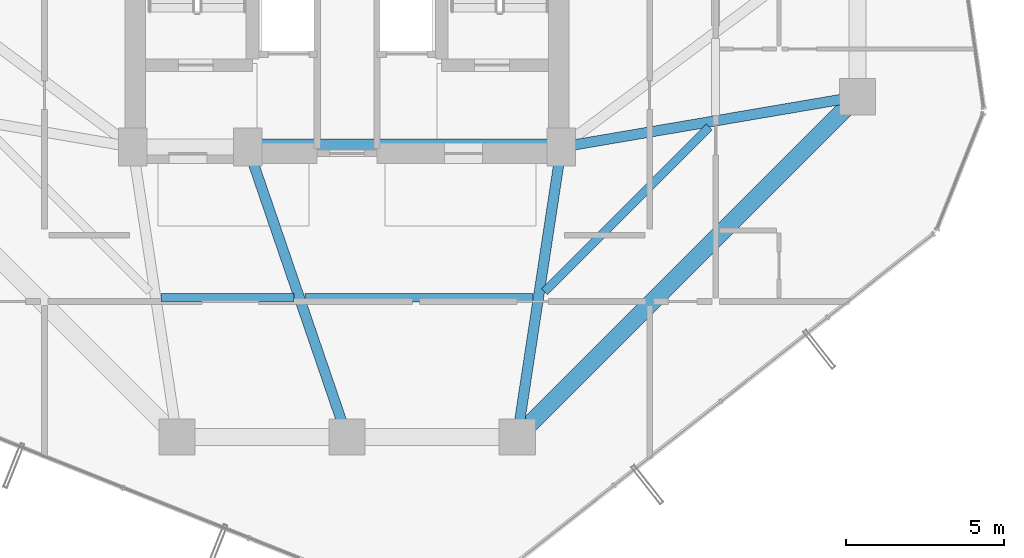
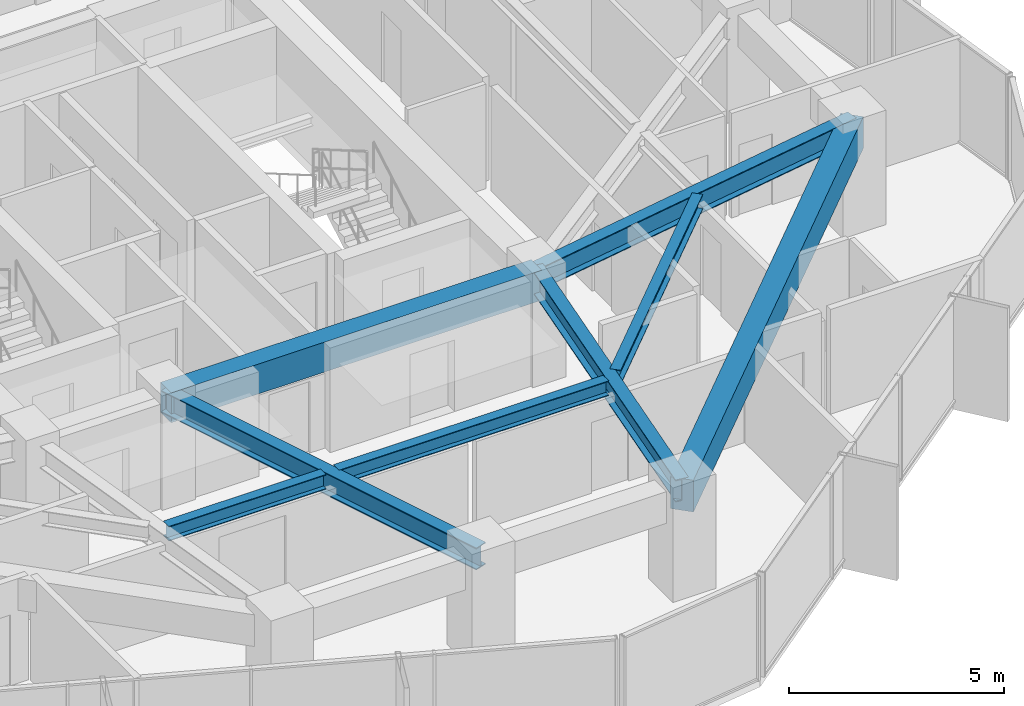
# One storey, part 7 of 34: 8 beams.
"""IFC4 building model written with IfcOpenShell, lengths in metres."""

from ifc_helpers import new_model, si_unit, direction, frame, origin, origin_2d, place, context, subcontext, project, spatial, rectangle, i_section, extrude, material, material_profile, profile_set, type_object, element, save


model = new_model("IFC4")

# Units and contexts
model_context = context("Model", 3, precision=1e-05, world=origin(), true_north=direction((0.0, 1.0)))
body_context = subcontext(model_context, "Body", "Model", "MODEL_VIEW")
ifc_project = project(units=[si_unit("LENGTHUNIT", "METRE"), si_unit("AREAUNIT", "SQUARE_METRE"), si_unit("VOLUMEUNIT", "CUBIC_METRE"), si_unit("PLANEANGLEUNIT", "RADIAN"), si_unit("MASSUNIT", "GRAM", prefix="KILO")], contexts=[model_context])

# Site, building, storey
site_placement = place(None, origin())
site = spatial("IfcSite", under=ifc_project, at=site_placement, CompositionType="ELEMENT")
building_placement = place(site_placement, origin())
building = spatial("IfcBuilding", under=site, at=building_placement, Name="Veraguas Prism Commons", CompositionType="ELEMENT")
storey_placement = place(building_placement, frame((0.0, 0.0, 155.5)))
storey = spatial("IfcBuildingStorey", under=building, at=storey_placement, Name="L44", CompositionType="ELEMENT", Elevation=155.5)

# Beams
ifc_material_1 = material(Name="Concrete C50/60", Category="concrete")
ifc_material_profile_1 = material_profile(ifc_material_1, rectangle(XDim=0.5, YDim=0.85009765625, at=origin_2d()), Name="RC500X850")
ifc_profile_set_1 = profile_set([ifc_material_profile_1], Name="Concrete C50/60")
beam_type_1 = type_object("IfcBeamType", Name="Core Coupling Beam RC 500x850", PredefinedType="BEAM", material=ifc_profile_set_1)
beam_1_placement = place(storey_placement, frame((20.85009765625, 17.0, 2.544921875), z_axis=(1.0, 0.0, 0.0), x_axis=(0.0, 1.0, 0.0)))
element("IfcBeam", 1, at=beam_1_placement, inside=storey, type_object=beam_type_1, Name="Core Coupling Beam L44-CRS2", PredefinedType="BEAM", context=body_context, shape_type="SweptSolid", body=[
    extrude(rectangle(XDim=0.5, YDim=0.85009765625, at=origin_2d()), origin(), (0.0, 0.0, 1.0), 9.949951171875),
])
ifc_material_2 = material(Name="Steel ASTM A992 Grade 50", Category="steel")
ifc_material_profile_2 = material_profile(ifc_material_2, i_section(OverallWidth=0.260986328125, OverallDepth=0.419921875, WebThickness=0.01171875, FlangeThickness=0.019287109375, at=origin_2d()), Name="W410X114")
ifc_profile_set_2 = profile_set([ifc_material_profile_2], Name="Steel ASTM A992 Grade 50")
beam_type_2 = type_object("IfcBeamType", Name="Lower Floor Joist W410x114", PredefinedType="JOIST", material=ifc_profile_set_2)
beam_2_placement = place(storey_placement, frame((18.091796875, 12.216064453125, 2.760009765625), z_axis=(1.0, 0.0, 0.0), x_axis=(0.0, 1.0, 0.0)))
element("IfcBeam", 2, at=beam_2_placement, inside=storey, type_object=beam_type_2, Name="Composite Floor Joist L44-JS10", PredefinedType="JOIST", context=body_context, shape_type="SweptSolid", body=[
    extrude(i_section(OverallWidth=0.260986328125, OverallDepth=0.419921875, WebThickness=0.01171875, FlangeThickness=0.019287109375, at=origin_2d()), origin(), (0.0, 0.0, 1.0), 4.22509765625),
])
beam_3_placement = place(storey_placement, frame((22.6591796875, 12.216064453125, 2.760009765625), z_axis=(1.0, 0.0, 0.0), x_axis=(0.0, 1.0, 0.0)))
element("IfcBeam", 3, at=beam_3_placement, inside=storey, type_object=beam_type_2, Name="Composite Floor Joist L44-JS11", PredefinedType="JOIST", context=body_context, shape_type="SweptSolid", body=[
    extrude(i_section(OverallWidth=0.260986328125, OverallDepth=0.419921875, WebThickness=0.01171875, FlangeThickness=0.019287109375, at=origin_2d()), origin(), (0.0, 0.0, 1.0), 7.2490234375),
])
beam_4_placement = place(storey_placement, frame((30.265380859375, 12.4091796875, 2.760009765625), z_axis=(0.707090260193, 0.707123301794, 0.0), x_axis=(-0.707123301794, 0.707090260193, 0.0)))
element("IfcBeam", 4, at=beam_4_placement, inside=storey, type_object=beam_type_2, Name="Composite Floor Joist L44-JS12", PredefinedType="JOIST", context=body_context, shape_type="SweptSolid", body=[
    extrude(i_section(OverallWidth=0.260986328125, OverallDepth=0.419921875, WebThickness=0.01171875, FlangeThickness=0.019287109375, at=origin_2d()), origin(), (0.0, 0.0, 1.0), 7.388916015625),
])
ifc_material_profile_3 = material_profile(ifc_material_1, rectangle(XDim=0.550048828125, YDim=0.89990234375, at=origin_2d()), Name="RC550X900")
ifc_profile_set_3 = profile_set([ifc_material_profile_3], Name="Concrete C50/60")
beam_type_3 = type_object("IfcBeamType", Name="Perimeter Spandrel Lower RC 550x900", PredefinedType="SPANDREL", material=ifc_profile_set_3)
beam_5_placement = place(storey_placement, frame((29.39990234375, 7.800048828125, 2.52001953125), z_axis=(0.707106781187, 0.707106781187, 0.0), x_axis=(-0.707106781187, 0.707106781187, 0.0)))
element("IfcBeam", 5, at=beam_5_placement, inside=storey, type_object=beam_type_3, Name="Perimeter Spandrel Beam L44-SP12", PredefinedType="SPANDREL", context=body_context, shape_type="SweptSolid", body=[
    extrude(rectangle(XDim=0.550048828125, YDim=0.89990234375, at=origin_2d()), origin(), (0.0, 0.0, 1.0), 15.273681640625),
])
ifc_material_profile_4 = material_profile(ifc_material_2, i_section(OverallWidth=0.327880859375, OverallDepth=0.6220703125, WebThickness=0.015380859375, FlangeThickness=0.0244140625, at=origin_2d()), Name="W610X195")
ifc_profile_set_4 = profile_set([ifc_material_profile_4], Name="Steel ASTM A992 Grade 50")
beam_type_4 = type_object("IfcBeamType", Name="Zone 2 Radial Girder W610x195", PredefinedType="BEAM", material=ifc_profile_set_4)
beam_6_placement = place(storey_placement, frame((40.199951171875, 18.60009765625, 2.658935546875), z_axis=(-0.985819187151, -0.1678109956, 0.0), x_axis=(0.1678109956, -0.985819187151, 0.0)))
element("IfcBeam", 6, at=beam_6_placement, inside=storey, type_object=beam_type_4, Name="Radial Floor Girder L44-RD01", PredefinedType="BEAM", context=body_context, shape_type="SweptSolid", body=[
    extrude(i_section(OverallWidth=0.327880859375, OverallDepth=0.6220703125, WebThickness=0.015380859375, FlangeThickness=0.0244140625, at=origin_2d()), origin(), (0.0, 0.0, 1.0), 9.53515625),
])
beam_7_placement = place(storey_placement, frame((24.0, 7.800048828125, 2.658935546875), z_axis=(-0.323922482989, 0.946083624747, 0.0), x_axis=(-0.946083624747, -0.323922482989, 0.0)))
element("IfcBeam", 7, at=beam_7_placement, inside=storey, type_object=beam_type_4, Name="Radial Floor Girder L44-RD11", PredefinedType="BEAM", context=body_context, shape_type="SweptSolid", body=[
    extrude(i_section(OverallWidth=0.327880859375, OverallDepth=0.6220703125, WebThickness=0.015380859375, FlangeThickness=0.0244140625, at=origin_2d()), origin(), (0.0, 0.0, 1.0), 9.724365234375),
])
beam_8_placement = place(storey_placement, frame((29.39990234375, 7.800048828125, 2.658935546875), z_axis=(0.150458162136, 0.98861637729, 0.0), x_axis=(-0.98861637729, 0.150458162136, 0.0)))
element("IfcBeam", 8, at=beam_8_placement, inside=storey, type_object=beam_type_4, Name="Radial Floor Girder L44-RD12", PredefinedType="BEAM", context=body_context, shape_type="SweptSolid", body=[
    extrude(i_section(OverallWidth=0.327880859375, OverallDepth=0.6220703125, WebThickness=0.015380859375, FlangeThickness=0.0244140625, at=origin_2d()), origin(), (0.0, 0.0, 1.0), 9.305908203125),
])

save(model, "model.ifc")
